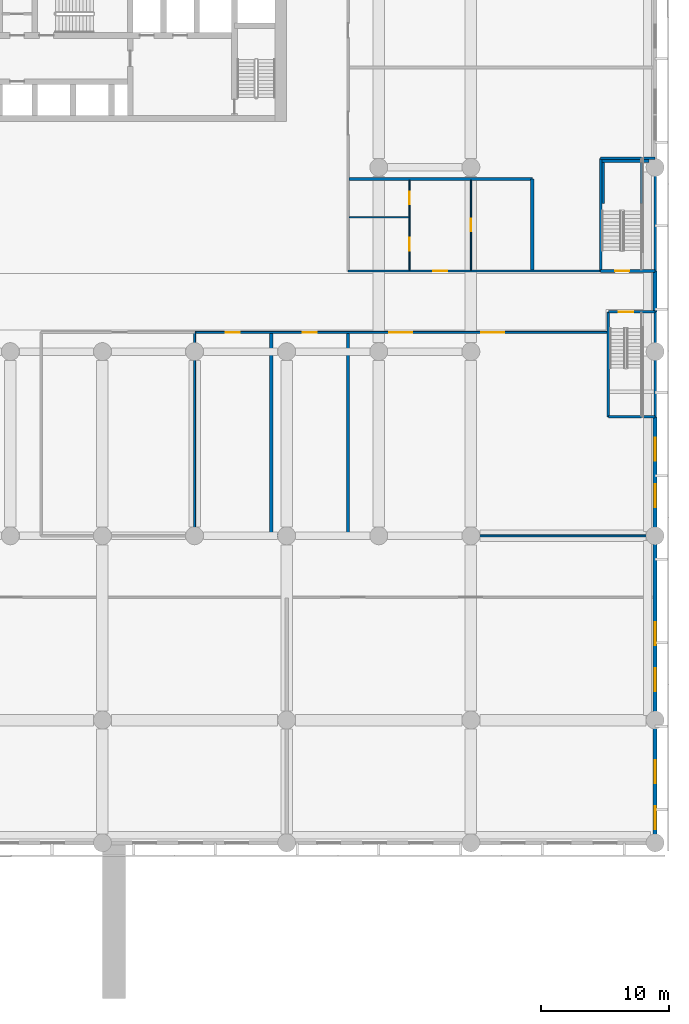
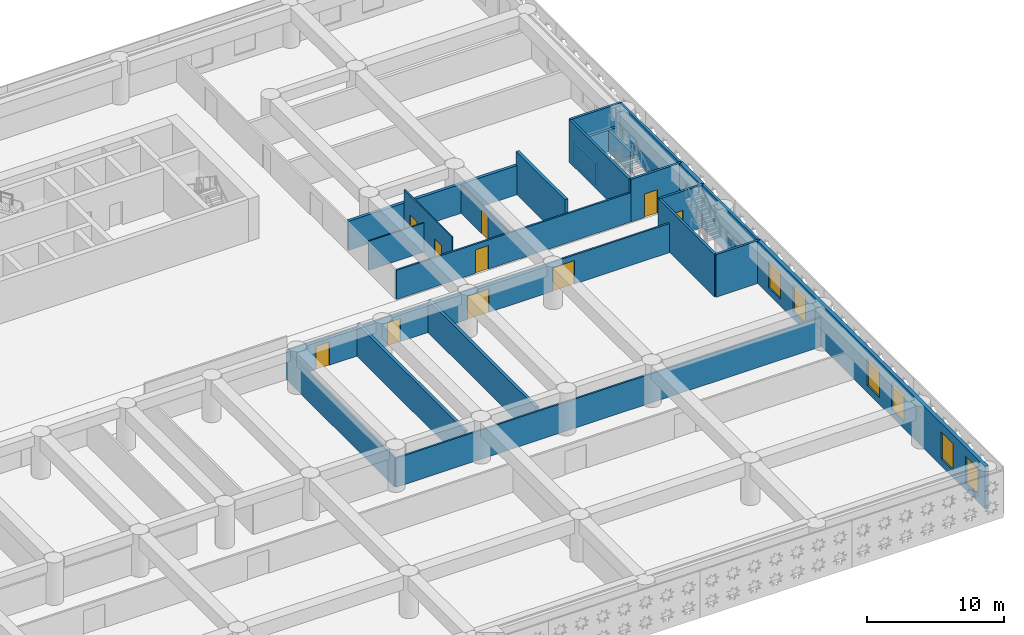
# One storey, part 5 of 23: 24 walls, 10 doors, 6 windows, 16 openings.
"""IFC4 building model written with IfcOpenShell, lengths in metres."""

import ifcopenshell
import ifcopenshell.guid

model = None  # the IFC model being written
_history = None  # IfcOwnerHistory: only IFC2X3 demands one
_inside = {}  # id of a spatial element -> (the spatial element, [elements in it])
_under = {}  # id of a project, library or spatial element -> (it, [spatial elements below it])
_declared = {}  # id of a project -> (the project, [libraries it declares])
_typed = {}  # id of a type object -> (the type object, [elements of that type])
_made_of = {}  # id of a material, layer set ... -> (it, [elements and type objects made of it])


def new_model(schema):
    """Start an empty IFC model of exactly this schema.

    Asked for "IFC4X3", IfcOpenShell would pick the latest addendum, in which some entities
    have other attributes; the version numbers below select the first issue.
    IFC2X3 requires an IfcOwnerHistory on every rooted entity: one is made here for all.
    """
    global model, _history
    if schema == "IFC4X3":
        model = ifcopenshell.file(schema_version=(4, 3, 0, 0))
    else:
        model = ifcopenshell.file(schema=schema)
    _inside.clear()
    _under.clear()
    _declared.clear()
    _typed.clear()
    _made_of.clear()
    _history = None
    if model.schema == "IFC2X3":
        org = make("IfcOrganization", Name="unknown")
        user = make(
            "IfcPersonAndOrganization",
            ThePerson=make("IfcPerson", FamilyName="unknown"),
            TheOrganization=org,
        )
        app = make(
            "IfcApplication",
            ApplicationDeveloper=org,
            Version="unknown",
            ApplicationFullName="unknown",
            ApplicationIdentifier="unknown",
        )
        _history = make(
            "IfcOwnerHistory",
            OwningUser=user,
            OwningApplication=app,
            ChangeAction="ADDED",
            CreationDate=0,
        )
    return model


def make(cls, **values):
    """One entity of the class cls with the attributes given. An attribute that is None is left unset."""
    return model.create_entity(
        cls, **{name: value for name, value in values.items() if value is not None}
    )


def rooted(cls, **values):
    """An entity with a GlobalId (a new one), such as an element, a storey or a relation."""
    return make(cls, GlobalId=ifcopenshell.guid.new(), OwnerHistory=_history, **values)


def si_unit(unit_type, name, prefix=None):
    """IfcSIUnit, for example si_unit("LENGTHUNIT", "METRE", prefix="MILLI")."""
    return make("IfcSIUnit", UnitType=unit_type, Prefix=prefix, Name=name)


def assignment(units):
    """IfcUnitAssignment: the units of a project."""
    return None if units is None else make("IfcUnitAssignment", Units=units)


def point(xyz):
    """IfcCartesianPoint."""
    return None if xyz is None else make("IfcCartesianPoint", Coordinates=xyz)


def direction(xyz):
    """IfcDirection."""
    return None if xyz is None else make("IfcDirection", DirectionRatios=xyz)


def frame(location, z_axis=None, x_axis=None):
    """IfcAxis2Placement3D, a coordinate frame: its origin and axes. An axis left out is left unset."""
    return make(
        "IfcAxis2Placement3D",
        Location=point(location),
        Axis=direction(z_axis),
        RefDirection=direction(x_axis),
    )


def frame_2d(location, x_axis=None):
    """IfcAxis2Placement2D, a coordinate frame in the plane: its origin and x axis."""
    return make(
        "IfcAxis2Placement2D", Location=point(location), RefDirection=direction(x_axis)
    )


def origin():
    """The frame at (0, 0, 0) with its axes left unset."""
    return frame((0.0, 0.0, 0.0))


def place(relative_to, where):
    """IfcLocalPlacement: puts the frame where relative to a parent placement (None: the world)."""
    return make(
        "IfcLocalPlacement", PlacementRelTo=relative_to, RelativePlacement=where
    )


def context(
    kind, dimensions, precision=None, world=None, true_north=None, identifier=None
):
    """IfcGeometricRepresentationContext, for example the 3D "Model" context."""
    return make(
        "IfcGeometricRepresentationContext",
        ContextIdentifier=identifier,
        ContextType=kind,
        CoordinateSpaceDimension=dimensions,
        Precision=precision,
        WorldCoordinateSystem=world,
        TrueNorth=true_north,
    )


def subcontext(parent, identifier, kind, view, scale=None):
    """IfcGeometricRepresentationSubContext, for example "Body" below "Model"."""
    return make(
        "IfcGeometricRepresentationSubContext",
        ContextIdentifier=identifier,
        ContextType=kind,
        ParentContext=parent,
        TargetScale=scale,
        TargetView=view,
    )


def project(units=None, contexts=None):
    """IfcProject with its units and contexts."""
    return rooted(
        "IfcProject",
        Name="project",
        RepresentationContexts=contexts,
        UnitsInContext=assignment(units),
    )


def spatial(cls, under=None, at=None, **own):
    """A site, building, storey or space (cls), placed at a placement, below another one or the project."""
    s = rooted(cls, ObjectPlacement=at, **own)
    if under is not None:
        _under.setdefault(under.id(), (under, []))[1].append(s)
    return s


def profile(cls, at=None, kind="AREA", **sizes):
    """A parametric profile (cls). Its sizes go by their IFC names, for example OverallWidth=200.0."""
    return make(cls, ProfileType=kind, Position=at, **sizes)


def rectangle(**sizes):
    """IfcRectangleProfileDef."""
    return profile("IfcRectangleProfileDef", **sizes)


def extrude(swept, where, along, depth):
    """IfcExtrudedAreaSolid: the profile swept, set in the frame where, extruded along a direction by depth."""
    return make(
        "IfcExtrudedAreaSolid",
        SweptArea=swept,
        Position=where,
        ExtrudedDirection=direction(along),
        Depth=depth,
    )


def shape(context_of_items, identifier, shape_type, items):
    """IfcShapeRepresentation: the items that make up one representation, for example the "Body"."""
    return make(
        "IfcShapeRepresentation",
        ContextOfItems=context_of_items,
        RepresentationIdentifier=identifier,
        RepresentationType=shape_type,
        Items=items,
    )


def material(Name=None, Category=None):
    """IfcMaterial."""
    return make("IfcMaterial", Name=Name, Category=Category)


def layer(
    of_material, thickness, ventilated=None, Name=None, Category=None, Priority=None
):
    """IfcMaterialLayer: one layer of a wall or slab, of a material (None: an air gap)."""
    return make(
        "IfcMaterialLayer",
        Material=of_material,
        LayerThickness=thickness,
        IsVentilated=ventilated,
        Name=Name,
        Category=Category,
        Priority=Priority,
    )


def layer_set(layers, Name=None):
    """IfcMaterialLayerSet."""
    return make("IfcMaterialLayerSet", MaterialLayers=layers, LayerSetName=Name)


def made_of(thing, what):
    """Note that an element or type object is made of a material, layer set ...; save() writes the relation."""
    if what is not None:
        _made_of.setdefault(what.id(), (what, []))[1].append(thing)
    return thing


def type_object(cls, material=None, **own):
    """A type object (cls), such as IfcWallType, which elements share."""
    return made_of(rooted(cls, **own), material)


def element(
    cls,
    number,
    at=None,
    inside=None,
    cuts=None,
    type_object=None,
    material=None,
    context=None,
    identifier="Body",
    shape_type=None,
    held_by="IfcProductDefinitionShape",
    body=None,
    shapes=None,
    **own,
):
    """One element of the class cls, such as IfcWall. Its Tag is "e" and its number.

    at: its placement. inside: the storey or other place that contains it. cuts: it is an
    opening in that element (IfcRelVoidsElement). A single representation is given by context,
    identifier, shape_type and body (its items); several are given by shapes. held_by: the class
    of the entity that holds the representations. save() writes the other relations.
    """
    e = rooted(cls, Tag="e%d" % number, ObjectPlacement=at, **own)
    if body is not None:
        shapes = [shape(context, identifier, shape_type, body)]
    if shapes is not None:
        e.Representation = make(held_by, Representations=shapes)
    if inside is not None:
        _inside.setdefault(inside.id(), (inside, []))[1].append(e)
    if cuts is not None:
        rooted(
            "IfcRelVoidsElement", RelatingBuildingElement=cuts, RelatedOpeningElement=e
        )
    if type_object is not None:
        _typed.setdefault(type_object.id(), (type_object, []))[1].append(e)
    return made_of(e, material)


def fill(opening, filler):
    """IfcRelFillsElement: the door or window that sits in an opening."""
    return rooted(
        "IfcRelFillsElement",
        RelatingOpeningElement=opening,
        RelatedBuildingElement=filler,
    )


def aggregate(whole, parts):
    """IfcRelAggregates: a whole, such as a stair, and the parts it consists of."""
    return rooted("IfcRelAggregates", RelatingObject=whole, RelatedObjects=parts)


def save(model, path):
    """Write the relations noted so far, then the file.

    IfcRelAggregates (storeys below a building ...), IfcRelContainedInSpatialStructure (elements
    in a storey), IfcRelDefinesByType, IfcRelAssociatesMaterial and IfcRelDeclares: one each for
    every whole, place, type object, material and project.
    """
    for whole, parts in _under.values():
        aggregate(whole, parts)
    for where, things in _inside.values():
        rooted(
            "IfcRelContainedInSpatialStructure",
            RelatedElements=things,
            RelatingStructure=where,
        )
    for kind, things in _typed.values():
        rooted("IfcRelDefinesByType", RelatedObjects=things, RelatingType=kind)
    for what, things in _made_of.values():
        rooted("IfcRelAssociatesMaterial", RelatedObjects=things, RelatingMaterial=what)
    for by, libraries in _declared.values():
        rooted("IfcRelDeclares", RelatingContext=by, RelatedDefinitions=libraries)
    model.write(path)


model = new_model("IFC4")

# Units and contexts
model_context = context("Model", 3, precision=1e-05, world=origin(), true_north=direction((0.0, 1.0)))
body_context = subcontext(model_context, "Body", "Model", "MODEL_VIEW")
ifc_project = project(units=[si_unit("LENGTHUNIT", "METRE"), si_unit("AREAUNIT", "SQUARE_METRE"), si_unit("VOLUMEUNIT", "CUBIC_METRE"), si_unit("PLANEANGLEUNIT", "RADIAN"), si_unit("MASSUNIT", "GRAM", prefix="KILO")], contexts=[model_context])

# Site, building, storey
site_placement = place(None, origin())
site = spatial("IfcSite", under=ifc_project, at=site_placement, CompositionType="ELEMENT")
building_placement = place(site_placement, origin())
building = spatial("IfcBuilding", under=site, at=building_placement, Name="Saffron Iwan Residences", CompositionType="ELEMENT")
storey_placement = place(building_placement, frame((0.0, 0.0, 17.39990234375)))
storey = spatial("IfcBuildingStorey", under=building, at=storey_placement, Name="L03", CompositionType="ELEMENT", Elevation=17.39990234375)

# Wall
ifc_material_1 = material(Name="Concrete blockwork", Category="masonry")
ifc_layer_1 = layer(ifc_material_1, 0.14990234375)
ifc_layer_set_1 = layer_set([ifc_layer_1], Name="Concrete blockwork")
wall_type_1 = type_object("IfcWallType", Name="Blockwork partition 150", PredefinedType="PARTITIONING", material=ifc_layer_set_1)
wall_1_placement = place(storey_placement, frame((64.800048828125, 33.60009765625, 0.0), z_axis=(0.0, 0.0, 1.0), x_axis=(1.0, 0.0, 0.0)))
element("IfcWall", 1, at=wall_1_placement, inside=storey, type_object=wall_type_1, Name="W-L03-004", PredefinedType="PARTITIONING", context=body_context, shape_type="SweptSolid", body=[
    extrude(rectangle(XDim=35.849853515625, YDim=0.14990234375, at=frame_2d((17.9248046875, 0.0))), origin(), (0.0, 0.0, 1.0), 2.60009765625),
])

# Wall, openings, doors
wall_2_placement = place(storey_placement, frame((64.800048828125, 49.5, 0.0), z_axis=(0.0, 0.0, 1.0), x_axis=(1.0, 0.0, 0.0)))
wall_2 = element("IfcWall", 2, at=wall_2_placement, inside=storey, type_object=wall_type_1, Name="W-L03-009", PredefinedType="PARTITIONING", context=body_context, shape_type="SweptSolid", body=[
    extrude(rectangle(XDim=32.25, YDim=0.14990234375, at=frame_2d((16.125, 0.0))), origin(), (0.0, 0.0, 1.0), 2.60009765625),
])
opening_1_placement = place(wall_2_placement, frame((2.449951171875, 0.0, 0.0)))
opening_1 = element("IfcOpeningElement", 3, at=opening_1_placement, cuts=wall_2, Name="Opening L03.13", PredefinedType="OPENING", context=body_context, shape_type="SweptSolid", body=[
    extrude(rectangle(XDim=1.10009765625, YDim=2.10009765625, at=frame_2d((0.550048828125, 1.050048828125))), frame((0.0, 0.0849609375, 0.0), z_axis=(0.0, -1.0, 0.0), x_axis=(1.0, 0.0, 0.0)), (0.0, 0.0, 1.0), 0.169921875),
])
opening_2_placement = place(wall_2_placement, frame((8.449951171875, 0.0, 0.0)))
opening_2 = element("IfcOpeningElement", 4, at=opening_2_placement, cuts=wall_2, Name="Opening L03.14", PredefinedType="OPENING", context=body_context, shape_type="SweptSolid", body=[
    extrude(rectangle(XDim=1.10009765625, YDim=2.10009765625, at=frame_2d((0.550048828125, 1.050048828125))), frame((0.0, 0.0849609375, 0.0), z_axis=(0.0, -1.0, 0.0), x_axis=(1.0, 0.0, 0.0)), (0.0, 0.0, 1.0), 0.169921875),
])
opening_3_placement = place(wall_2_placement, frame((22.425048828125, 0.0, 0.0)))
opening_3 = element("IfcOpeningElement", 5, at=opening_3_placement, cuts=wall_2, Name="Opening L03.15", PredefinedType="OPENING", context=body_context, shape_type="SweptSolid", body=[
    extrude(rectangle(XDim=1.800048828125, YDim=2.10009765625, at=frame_2d((0.89990234375, 1.050048828125))), frame((0.0, 0.0849609375, 0.0), z_axis=(0.0, -1.0, 0.0), x_axis=(1.0, 0.0, 0.0)), (0.0, 0.0, 1.0), 0.169921875),
])
opening_4_placement = place(wall_2_placement, frame((15.212890625, 0.0, 0.0)))
opening_4 = element("IfcOpeningElement", 6, at=opening_4_placement, cuts=wall_2, Name="Opening L03.16", PredefinedType="OPENING", context=body_context, shape_type="SweptSolid", body=[
    extrude(rectangle(XDim=1.800048828125, YDim=2.10009765625, at=frame_2d((0.89990234375, 1.050048828125))), frame((0.0, 0.0849609375, 0.0), z_axis=(0.0, -1.0, 0.0), x_axis=(1.0, 0.0, 0.0)), (0.0, 0.0, 1.0), 0.169921875),
])
ifc_material_2 = material(Name="Timber", Category="wood")
door_type_1 = type_object("IfcDoorType", Name="Door 1100x2100", OperationType="NOTDEFINED", PredefinedType="DOOR", material=ifc_material_2)
door_1_placement = place(opening_1_placement, origin())
door_1 = element("IfcDoor", 7, at=door_1_placement, inside=storey, type_object=door_type_1, Name="D-L03-013", OperationType="SINGLE_SWING_LEFT", OverallHeight=2.10009765625, OverallWidth=1.10009765625, PredefinedType="DOOR", context=body_context, shape_type="SweptSolid", body=[
    extrude(rectangle(XDim=1.10009765625, YDim=2.10009765625, at=frame_2d((0.550048828125, 1.050048828125))), frame((0.0, 0.02490234375, 0.0), z_axis=(0.0, -1.0, 0.0), x_axis=(1.0, 0.0, 0.0)), (0.0, 0.0, 1.0), 0.050048828125),
])
fill(opening_1, door_1)
door_2_placement = place(opening_2_placement, origin())
door_2 = element("IfcDoor", 8, at=door_2_placement, inside=storey, type_object=door_type_1, Name="D-L03-014", OperationType="SINGLE_SWING_LEFT", OverallHeight=2.10009765625, OverallWidth=1.10009765625, PredefinedType="DOOR", context=body_context, shape_type="SweptSolid", body=[
    extrude(rectangle(XDim=1.10009765625, YDim=2.10009765625, at=frame_2d((0.550048828125, 1.050048828125))), frame((0.0, 0.02490234375, 0.0), z_axis=(0.0, -1.0, 0.0), x_axis=(1.0, 0.0, 0.0)), (0.0, 0.0, 1.0), 0.050048828125),
])
fill(opening_2, door_2)
door_type_2 = type_object("IfcDoorType", Name="Door 1800x2100", OperationType="DOUBLE_DOOR_SINGLE_SWING", PredefinedType="DOOR", material=ifc_material_2)
door_3_placement = place(opening_3_placement, origin())
door_3 = element("IfcDoor", 9, at=door_3_placement, inside=storey, type_object=door_type_2, Name="D-L03-015", OperationType="DOUBLE_DOOR_SINGLE_SWING", OverallHeight=2.10009765625, OverallWidth=1.800048828125, PredefinedType="DOOR", context=body_context, shape_type="SweptSolid", body=[
    extrude(rectangle(XDim=1.800048828125, YDim=2.10009765625, at=frame_2d((0.89990234375, 1.050048828125))), frame((0.0, 0.02490234375, 0.0), z_axis=(0.0, -1.0, 0.0), x_axis=(1.0, 0.0, 0.0)), (0.0, 0.0, 1.0), 0.050048828125),
])
fill(opening_3, door_3)
door_4_placement = place(opening_4_placement, origin())
door_4 = element("IfcDoor", 10, at=door_4_placement, inside=storey, type_object=door_type_2, Name="D-L03-016", OperationType="DOUBLE_DOOR_SINGLE_SWING", OverallHeight=2.10009765625, OverallWidth=1.800048828125, PredefinedType="DOOR", context=body_context, shape_type="SweptSolid", body=[
    extrude(rectangle(XDim=1.800048828125, YDim=2.10009765625, at=frame_2d((0.89990234375, 1.050048828125))), frame((0.0, 0.02490234375, 0.0), z_axis=(0.0, -1.0, 0.0), x_axis=(1.0, 0.0, 0.0)), (0.0, 0.0, 1.0), 0.050048828125),
])
fill(opening_4, door_4)

# Wall, opening, door
wall_3_placement = place(storey_placement, frame((76.800048828125, 54.300048828125, 0.0), z_axis=(0.0, 0.0, 1.0), x_axis=(1.0, 0.0, 0.0)))
wall_3 = element("IfcWall", 11, at=wall_3_placement, inside=storey, type_object=wall_type_1, Name="W-L03-014", PredefinedType="PARTITIONING", context=body_context, shape_type="SweptSolid", body=[
    extrude(rectangle(XDim=19.75, YDim=0.14990234375, at=frame_2d((9.875, 0.0))), origin(), (0.0, 0.0, 1.0), 2.60009765625),
])
opening_5_placement = place(wall_3_placement, frame((6.64990234375, 0.0, 0.0)))
opening_5 = element("IfcOpeningElement", 12, at=opening_5_placement, cuts=wall_3, Name="Opening L03.25", PredefinedType="OPENING", context=body_context, shape_type="SweptSolid", body=[
    extrude(rectangle(XDim=1.10009765625, YDim=2.10009765625, at=frame_2d((0.550048828125, 1.050048828125))), frame((0.0, 0.0849609375, 0.0), z_axis=(0.0, -1.0, 0.0), x_axis=(1.0, 0.0, 0.0)), (0.0, 0.0, 1.0), 0.169921875),
])
door_5_placement = place(opening_5_placement, origin())
door_5 = element("IfcDoor", 13, at=door_5_placement, inside=storey, type_object=door_type_1, Name="D-L03-025", OperationType="SINGLE_SWING_LEFT", OverallHeight=2.10009765625, OverallWidth=1.10009765625, PredefinedType="DOOR", context=body_context, shape_type="SweptSolid", body=[
    extrude(rectangle(XDim=1.10009765625, YDim=2.10009765625, at=frame_2d((0.550048828125, 1.050048828125))), frame((0.0, 0.02490234375, 0.0), z_axis=(0.0, -1.0, 0.0), x_axis=(1.0, 0.0, 0.0)), (0.0, 0.0, 1.0), 0.050048828125),
])
fill(opening_5, door_5)

# Walls
wall_4_placement = place(storey_placement, frame((64.800048828125, 33.60009765625, 0.0), z_axis=(0.0, 0.0, 1.0), x_axis=(0.0, 1.0, 0.0)))
element("IfcWall", 14, at=wall_4_placement, inside=storey, type_object=wall_type_1, Name="W-L03-038", PredefinedType="PARTITIONING", context=body_context, shape_type="SweptSolid", body=[
    extrude(rectangle(XDim=15.89990234375, YDim=0.14990234375, at=frame_2d((7.949951171875, 0.0))), origin(), (0.0, 0.0, 1.0), 2.60009765625),
])
ifc_material_3 = material(Name="Concrete C40/50", Category="concrete")
ifc_layer_2 = layer(ifc_material_3, 0.25)
ifc_layer_set_2 = layer_set([ifc_layer_2], Name="Concrete C40/50")
wall_type_2 = type_object("IfcWallType", Name="Fire compartment wall 250", PredefinedType="SOLIDWALL", material=ifc_layer_set_2)
wall_5_placement = place(storey_placement, frame((76.875, 61.5, 0.0), z_axis=(0.0, 0.0, 1.0), x_axis=(1.0, 0.0, 0.0)))
element("IfcWall", 15, at=wall_5_placement, inside=storey, type_object=wall_type_2, Name="W-L03-018", PredefinedType="SOLIDWALL", context=body_context, shape_type="SweptSolid", body=[
    extrude(rectangle(XDim=14.324951171875, YDim=0.25, at=frame_2d((7.16259765625, 0.0))), origin(), (0.0, 0.0, 1.0), 2.60009765625),
])
for number, where, z_axis, x_axis, name in (
    (16, (70.800048828125, 33.675048828125, 0.0), (0.0, 0.0, 1.0), (0.0, 1.0, 0.0), "W-L03-039"),
    (17, (76.800048828125, 33.675048828125, 0.0), (0.0, 0.0, 1.0), (0.0, 1.0, 0.0), "W-L03-042"),
):
    element("IfcWall", number, at=place(storey_placement, frame(where, z_axis=z_axis, x_axis=x_axis)), inside=storey, type_object=wall_type_2, Name=name, PredefinedType="SOLIDWALL", context=body_context, shape_type="SweptSolid", body=[
        extrude(rectangle(XDim=15.75, YDim=0.25, at=frame_2d((7.875, 0.0))), origin(), (0.0, 0.0, 1.0), 2.900146484375),
    ])
wall_6_placement = place(storey_placement, frame((91.199951171875, 54.375, 0.0), z_axis=(0.0, 0.0, 1.0), x_axis=(0.0, 1.0, 0.0)))
element("IfcWall", 18, at=wall_6_placement, inside=storey, type_object=wall_type_2, Name="W-L03-045", PredefinedType="SOLIDWALL", context=body_context, shape_type="SweptSolid", body=[
    extrude(rectangle(XDim=7.125, YDim=0.25, at=frame_2d((3.5625, 0.0))), origin(), (0.0, 0.0, 1.0), 3.800048828125),
])
ifc_layer_3 = layer(ifc_material_3, 0.199951171875)
ifc_layer_set_3 = layer_set([ifc_layer_3], Name="Concrete C40/50")
wall_type_3 = type_object("IfcWallType", Name="Landing support wall, reinforced concrete 200", PredefinedType="SOLIDWALL", material=ifc_layer_set_3)
for number, where, z_axis, x_axis, name in (
    (19, (96.75, 59.580078125, 0.0), (0.0, 0.0, 1.0), (0.0, 1.0, 0.0), "PS4 landing support wall"),
    (20, (99.699951171875, 59.580078125, 0.0), (0.0, 0.0, 1.0), (0.0, 1.0, 0.0), "PS4 landing support wall"),
):
    element("IfcWall", number, at=place(storey_placement, frame(where, z_axis=z_axis, x_axis=x_axis)), inside=storey, type_object=wall_type_3, Name=name, PredefinedType="SOLIDWALL", context=body_context, shape_type="SweptSolid", body=[
        extrude(rectangle(XDim=3.219970703125, YDim=0.199951171875, at=frame_2d((1.60986328125, 0.0))), origin(), (0.0, 0.0, 1.0), 1.900146484375),
    ])
wall_7_placement = place(storey_placement, frame((96.64990234375, 62.89990234375, 0.0), z_axis=(0.0, 0.0, 1.0), x_axis=(1.0, 0.0, 0.0)))
element("IfcWall", 21, at=wall_7_placement, inside=storey, type_object=wall_type_3, Name="PS4 landing support wall", PredefinedType="SOLIDWALL", context=body_context, shape_type="SweptSolid", body=[
    extrude(rectangle(XDim=3.66015625, YDim=0.199951171875, at=frame_2d((1.830078125, 0.0))), origin(), (0.0, 0.0, 1.0), 1.900146484375),
])
ifc_material_4 = material(Name="Plasterboard")
ifc_layer_4 = layer(ifc_material_4, 0.10009765625)
ifc_layer_set_4 = layer_set([ifc_layer_4], Name="Plasterboard")
wall_type_4 = type_object("IfcWallType", Name="Plasterboard partition 100", PredefinedType="PARTITIONING", material=ifc_layer_set_4)
wall_8_placement = place(storey_placement, frame((76.875, 58.5, 0.0), z_axis=(0.0, 0.0, 1.0), x_axis=(1.0, 0.0, 0.0)))
element("IfcWall", 22, at=wall_8_placement, inside=storey, type_object=wall_type_4, Name="W-L03-017", PredefinedType="PARTITIONING", context=body_context, shape_type="SweptSolid", body=[
    extrude(rectangle(XDim=4.675048828125, YDim=0.10009765625, at=frame_2d((2.33740234375, 0.0))), origin(), (0.0, 0.0, 1.0), 2.60009765625),
])

# Wall, openings, doors
wall_9_placement = place(storey_placement, frame((81.60009765625, 54.375, 0.0), z_axis=(0.0, 0.0, 1.0), x_axis=(0.0, 1.0, 0.0)))
wall_9 = element("IfcWall", 23, at=wall_9_placement, inside=storey, type_object=wall_type_4, Name="W-L03-043", PredefinedType="PARTITIONING", context=body_context, shape_type="SweptSolid", body=[
    extrude(rectangle(XDim=7.0, YDim=0.10009765625, at=frame_2d((3.5, 0.0))), origin(), (0.0, 0.0, 1.0), 3.800048828125),
])
opening_6_placement = place(wall_9_placement, frame((1.52490234375, 0.0, 0.0)))
opening_6 = element("IfcOpeningElement", 24, at=opening_6_placement, cuts=wall_9, Name="Opening L03.22", PredefinedType="OPENING", context=body_context, shape_type="SweptSolid", body=[
    extrude(rectangle(XDim=1.0, YDim=2.10009765625, at=frame_2d((0.5, 1.050048828125))), frame((0.0, 0.06005859375, 0.0), z_axis=(0.0, -1.0, 0.0), x_axis=(1.0, 0.0, 0.0)), (0.0, 0.0, 1.0), 0.1201171875),
])
opening_7_placement = place(wall_9_placement, frame((5.125, 0.0, 0.0)))
opening_7 = element("IfcOpeningElement", 25, at=opening_7_placement, cuts=wall_9, Name="Opening L03.23", PredefinedType="OPENING", context=body_context, shape_type="SweptSolid", body=[
    extrude(rectangle(XDim=1.0, YDim=2.10009765625, at=frame_2d((0.5, 1.050048828125))), frame((0.0, 0.06005859375, 0.0), z_axis=(0.0, -1.0, 0.0), x_axis=(1.0, 0.0, 0.0)), (0.0, 0.0, 1.0), 0.1201171875),
])
door_type_3 = type_object("IfcDoorType", Name="Door 1000x2100", OperationType="NOTDEFINED", PredefinedType="DOOR", material=ifc_material_2)
door_6_placement = place(opening_6_placement, origin())
door_6 = element("IfcDoor", 26, at=door_6_placement, inside=storey, type_object=door_type_3, Name="D-L03-022", OperationType="SINGLE_SWING_LEFT", OverallHeight=2.10009765625, OverallWidth=1.0, PredefinedType="DOOR", context=body_context, shape_type="SweptSolid", body=[
    extrude(rectangle(XDim=1.0, YDim=2.10009765625, at=frame_2d((0.5, 1.050048828125))), frame((0.0, 0.02490234375, 0.0), z_axis=(0.0, -1.0, 0.0), x_axis=(1.0, 0.0, 0.0)), (0.0, 0.0, 1.0), 0.050048828125),
])
fill(opening_6, door_6)
door_7_placement = place(opening_7_placement, origin())
door_7 = element("IfcDoor", 27, at=door_7_placement, inside=storey, type_object=door_type_3, Name="D-L03-023", OperationType="SINGLE_SWING_RIGHT", OverallHeight=2.10009765625, OverallWidth=1.0, PredefinedType="DOOR", context=body_context, shape_type="SweptSolid", body=[
    extrude(rectangle(XDim=1.0, YDim=2.10009765625, at=frame_2d((0.5, 1.050048828125))), frame((0.0, 0.02490234375, 0.0), z_axis=(0.0, -1.0, 0.0), x_axis=(1.0, 0.0, 0.0)), (0.0, 0.0, 1.0), 0.050048828125),
])
fill(opening_7, door_7)

# Wall, opening, door
wall_10_placement = place(storey_placement, frame((86.39990234375, 54.375, 0.0), z_axis=(0.0, 0.0, 1.0), x_axis=(0.0, 1.0, 0.0)))
wall_10 = element("IfcWall", 28, at=wall_10_placement, inside=storey, type_object=wall_type_4, Name="W-L03-044", PredefinedType="PARTITIONING", context=body_context, shape_type="SweptSolid", body=[
    extrude(rectangle(XDim=7.0, YDim=0.10009765625, at=frame_2d((3.5, 0.0))), origin(), (0.0, 0.0, 1.0), 2.60009765625),
])
opening_8_placement = place(wall_10_placement, frame((3.02490234375, 0.0, 0.0)))
opening_8 = element("IfcOpeningElement", 29, at=opening_8_placement, cuts=wall_10, Name="Opening L03.24", PredefinedType="OPENING", context=body_context, shape_type="SweptSolid", body=[
    extrude(rectangle(XDim=1.0, YDim=2.10009765625, at=frame_2d((0.5, 1.050048828125))), frame((0.0, 0.06005859375, 0.0), z_axis=(0.0, -1.0, 0.0), x_axis=(1.0, 0.0, 0.0)), (0.0, 0.0, 1.0), 0.1201171875),
])
door_8_placement = place(opening_8_placement, origin())
door_8 = element("IfcDoor", 30, at=door_8_placement, inside=storey, type_object=door_type_3, Name="D-L03-024", OperationType="SINGLE_SWING_RIGHT", OverallHeight=2.10009765625, OverallWidth=1.0, PredefinedType="DOOR", context=body_context, shape_type="SweptSolid", body=[
    extrude(rectangle(XDim=1.0, YDim=2.10009765625, at=frame_2d((0.5, 1.050048828125))), frame((0.0, 0.02490234375, 0.0), z_axis=(0.0, -1.0, 0.0), x_axis=(1.0, 0.0, 0.0)), (0.0, 0.0, 1.0), 0.050048828125),
])
fill(opening_8, door_8)

# Wall, openings, windows
ifc_material_5 = material(Name="Precast concrete C40/50", Category="concrete")
ifc_layer_5 = layer(ifc_material_5, 0.300048828125)
ifc_layer_set_5 = layer_set([ifc_layer_5], Name="Precast concrete C40/50")
wall_type_5 = type_object("IfcWallType", Name="Podium external wall 300", PredefinedType="SOLIDWALL", material=ifc_layer_set_5)
wall_11_placement = place(storey_placement, frame((100.800048828125, 9.60009765625, 0.0), z_axis=(0.0, 0.0, 1.0), x_axis=(0.0, 1.0, 0.0)))
wall_11 = element("IfcWall", 31, at=wall_11_placement, inside=storey, type_object=wall_type_5, Name="W-L03-048", PredefinedType="SOLIDWALL", context=body_context, shape_type="SweptSolid", body=[
    extrude(rectangle(XDim=33.2998046875, YDim=0.300048828125, at=frame_2d((16.64990234375, 0.0))), origin(), (0.0, 0.0, 1.0), 3.800048828125),
])
opening_9_placement = place(wall_11_placement, frame((1.050048828125, 0.0, 0.60009765625)))
opening_9 = element("IfcOpeningElement", 32, at=opening_9_placement, cuts=wall_11, Name="Opening W7", PredefinedType="OPENING", context=body_context, shape_type="SweptSolid", body=[
    extrude(rectangle(XDim=1.800048828125, YDim=2.39990234375, at=frame_2d((0.89990234375, 1.199951171875))), frame((0.0, 0.16015625, 0.0), z_axis=(0.0, -1.0, 0.0), x_axis=(1.0, 0.0, 0.0)), (0.0, 0.0, 1.0), 0.320068359375),
])
opening_10_placement = place(wall_11_placement, frame((4.64990234375, 0.0, 0.60009765625)))
opening_10 = element("IfcOpeningElement", 33, at=opening_10_placement, cuts=wall_11, Name="Opening W7", PredefinedType="OPENING", context=body_context, shape_type="SweptSolid", body=[
    extrude(rectangle(XDim=1.800048828125, YDim=2.39990234375, at=frame_2d((0.89990234375, 1.199951171875))), frame((0.0, 0.16015625, 0.0), z_axis=(0.0, -1.0, 0.0), x_axis=(1.0, 0.0, 0.0)), (0.0, 0.0, 1.0), 0.320068359375),
])
opening_11_placement = place(wall_11_placement, frame((11.85009765625, 0.0, 0.60009765625)))
opening_11 = element("IfcOpeningElement", 34, at=opening_11_placement, cuts=wall_11, Name="Opening W7", PredefinedType="OPENING", context=body_context, shape_type="SweptSolid", body=[
    extrude(rectangle(XDim=1.800048828125, YDim=2.39990234375, at=frame_2d((0.89990234375, 1.199951171875))), frame((0.0, 0.16015625, 0.0), z_axis=(0.0, -1.0, 0.0), x_axis=(1.0, 0.0, 0.0)), (0.0, 0.0, 1.0), 0.320068359375),
])
opening_12_placement = place(wall_11_placement, frame((15.449951171875, 0.0, 0.60009765625)))
opening_12 = element("IfcOpeningElement", 35, at=opening_12_placement, cuts=wall_11, Name="Opening W7", PredefinedType="OPENING", context=body_context, shape_type="SweptSolid", body=[
    extrude(rectangle(XDim=1.800048828125, YDim=2.39990234375, at=frame_2d((0.89990234375, 1.199951171875))), frame((0.0, 0.16015625, 0.0), z_axis=(0.0, -1.0, 0.0), x_axis=(1.0, 0.0, 0.0)), (0.0, 0.0, 1.0), 0.320068359375),
])
opening_13_placement = place(wall_11_placement, frame((26.25, 0.0, 0.60009765625)))
opening_13 = element("IfcOpeningElement", 36, at=opening_13_placement, cuts=wall_11, Name="Opening W7", PredefinedType="OPENING", context=body_context, shape_type="SweptSolid", body=[
    extrude(rectangle(XDim=1.800048828125, YDim=2.39990234375, at=frame_2d((0.89990234375, 1.199951171875))), frame((0.0, 0.16015625, 0.0), z_axis=(0.0, -1.0, 0.0), x_axis=(1.0, 0.0, 0.0)), (0.0, 0.0, 1.0), 0.320068359375),
])
opening_14_placement = place(wall_11_placement, frame((29.85009765625, 0.0, 0.60009765625)))
opening_14 = element("IfcOpeningElement", 37, at=opening_14_placement, cuts=wall_11, Name="Opening W7", PredefinedType="OPENING", context=body_context, shape_type="SweptSolid", body=[
    extrude(rectangle(XDim=1.800048828125, YDim=2.39990234375, at=frame_2d((0.89990234375, 1.199951171875))), frame((0.0, 0.16015625, 0.0), z_axis=(0.0, -1.0, 0.0), x_axis=(1.0, 0.0, 0.0)), (0.0, 0.0, 1.0), 0.320068359375),
])
ifc_material_6 = material(Name="Clear glass, laminated double glazed", Category="glass")
window_type = type_object("IfcWindowType", Name="WINDOW 1800 x 2400 PODIUM", PartitioningType="DOUBLE_PANEL_VERTICAL", PredefinedType="WINDOW", material=ifc_material_6)
window_1_placement = place(opening_9_placement, origin())
window_1 = element("IfcWindow", 38, at=window_1_placement, inside=storey, type_object=window_type, Name="Window L03 W-L03-048.0", OverallHeight=2.39990234375, OverallWidth=1.800048828125, PartitioningType="DOUBLE_PANEL_VERTICAL", PredefinedType="WINDOW", context=body_context, shape_type="SweptSolid", body=[
    extrude(rectangle(XDim=1.800048828125, YDim=2.39990234375, at=frame_2d((0.89990234375, 1.199951171875))), frame((0.0, 0.030029296875, 0.0), z_axis=(0.0, -1.0, 0.0), x_axis=(1.0, 0.0, 0.0)), (0.0, 0.0, 1.0), 0.06005859375),
])
fill(opening_9, window_1)
window_2_placement = place(opening_10_placement, origin())
window_2 = element("IfcWindow", 39, at=window_2_placement, inside=storey, type_object=window_type, Name="Window L03 W-L03-048.1", OverallHeight=2.39990234375, OverallWidth=1.800048828125, PartitioningType="DOUBLE_PANEL_VERTICAL", PredefinedType="WINDOW", context=body_context, shape_type="SweptSolid", body=[
    extrude(rectangle(XDim=1.800048828125, YDim=2.39990234375, at=frame_2d((0.89990234375, 1.199951171875))), frame((0.0, 0.030029296875, 0.0), z_axis=(0.0, -1.0, 0.0), x_axis=(1.0, 0.0, 0.0)), (0.0, 0.0, 1.0), 0.06005859375),
])
fill(opening_10, window_2)
window_3_placement = place(opening_11_placement, origin())
window_3 = element("IfcWindow", 40, at=window_3_placement, inside=storey, type_object=window_type, Name="Window L03 W-L03-048.2", OverallHeight=2.39990234375, OverallWidth=1.800048828125, PartitioningType="DOUBLE_PANEL_VERTICAL", PredefinedType="WINDOW", context=body_context, shape_type="SweptSolid", body=[
    extrude(rectangle(XDim=1.800048828125, YDim=2.39990234375, at=frame_2d((0.89990234375, 1.199951171875))), frame((0.0, 0.030029296875, 0.0), z_axis=(0.0, -1.0, 0.0), x_axis=(1.0, 0.0, 0.0)), (0.0, 0.0, 1.0), 0.06005859375),
])
fill(opening_11, window_3)
window_4_placement = place(opening_12_placement, origin())
window_4 = element("IfcWindow", 41, at=window_4_placement, inside=storey, type_object=window_type, Name="Window L03 W-L03-048.3", OverallHeight=2.39990234375, OverallWidth=1.800048828125, PartitioningType="DOUBLE_PANEL_VERTICAL", PredefinedType="WINDOW", context=body_context, shape_type="SweptSolid", body=[
    extrude(rectangle(XDim=1.800048828125, YDim=2.39990234375, at=frame_2d((0.89990234375, 1.199951171875))), frame((0.0, 0.030029296875, 0.0), z_axis=(0.0, -1.0, 0.0), x_axis=(1.0, 0.0, 0.0)), (0.0, 0.0, 1.0), 0.06005859375),
])
fill(opening_12, window_4)
window_5_placement = place(opening_13_placement, origin())
window_5 = element("IfcWindow", 42, at=window_5_placement, inside=storey, type_object=window_type, Name="Window L03 W-L03-048.4", OverallHeight=2.39990234375, OverallWidth=1.800048828125, PartitioningType="DOUBLE_PANEL_VERTICAL", PredefinedType="WINDOW", context=body_context, shape_type="SweptSolid", body=[
    extrude(rectangle(XDim=1.800048828125, YDim=2.39990234375, at=frame_2d((0.89990234375, 1.199951171875))), frame((0.0, 0.030029296875, 0.0), z_axis=(0.0, -1.0, 0.0), x_axis=(1.0, 0.0, 0.0)), (0.0, 0.0, 1.0), 0.06005859375),
])
fill(opening_13, window_5)
window_6_placement = place(opening_14_placement, origin())
window_6 = element("IfcWindow", 43, at=window_6_placement, inside=storey, type_object=window_type, Name="Window L03 W-L03-048.5", OverallHeight=2.39990234375, OverallWidth=1.800048828125, PartitioningType="DOUBLE_PANEL_VERTICAL", PredefinedType="WINDOW", context=body_context, shape_type="SweptSolid", body=[
    extrude(rectangle(XDim=1.800048828125, YDim=2.39990234375, at=frame_2d((0.89990234375, 1.199951171875))), frame((0.0, 0.030029296875, 0.0), z_axis=(0.0, -1.0, 0.0), x_axis=(1.0, 0.0, 0.0)), (0.0, 0.0, 1.0), 0.06005859375),
])
fill(opening_14, window_6)

# Walls
wall_12_placement = place(storey_placement, frame((100.800048828125, 51.10009765625, 0.0), z_axis=(0.0, 0.0, 1.0), x_axis=(0.0, 1.0, 0.0)))
element("IfcWall", 44, at=wall_12_placement, inside=storey, type_object=wall_type_5, Name="W-L03-049", PredefinedType="SOLIDWALL", context=body_context, shape_type="SweptSolid", body=[
    extrude(rectangle(XDim=3.199951171875, YDim=0.300048828125, at=frame_2d((1.60009765625, 0.0))), origin(), (0.0, 0.0, 1.0), 3.800048828125),
])
ifc_layer_6 = layer(ifc_material_3, 0.199951171875)
ifc_layer_set_6 = layer_set([ifc_layer_6], Name="Concrete C40/50")
wall_type_6 = type_object("IfcWallType", Name="Reinforced concrete stair wall 200", PredefinedType="SOLIDWALL", material=ifc_layer_set_6)
wall_13_placement = place(storey_placement, frame((97.14990234375, 42.89990234375, 0.0), z_axis=(0.0, 0.0, 1.0), x_axis=(1.0, 0.0, 0.0)))
element("IfcWall", 45, at=wall_13_placement, inside=storey, type_object=wall_type_6, Name="W-L03-007", PredefinedType="SOLIDWALL", context=body_context, shape_type="SweptSolid", body=[
    extrude(rectangle(XDim=3.650146484375, YDim=0.199951171875, at=frame_2d((1.8251953125, 0.0))), origin(), (0.0, 0.0, 1.0), 3.800048828125),
])

# Wall, opening, door
wall_14_placement = place(storey_placement, frame((97.14990234375, 51.10009765625, 0.0), z_axis=(0.0, 0.0, 1.0), x_axis=(1.0, 0.0, 0.0)))
wall_14 = element("IfcWall", 46, at=wall_14_placement, inside=storey, type_object=wall_type_6, Name="W-L03-012", PredefinedType="SOLIDWALL", context=body_context, shape_type="SweptSolid", body=[
    extrude(rectangle(XDim=3.650146484375, YDim=0.199951171875, at=frame_2d((1.8251953125, 0.0))), origin(), (0.0, 0.0, 1.0), 3.800048828125),
])
opening_15_placement = place(wall_14_placement, frame((0.824951171875, 0.0, 0.0)))
opening_15 = element("IfcOpeningElement", 47, at=opening_15_placement, cuts=wall_14, Name="Opening L03.27", PredefinedType="OPENING", context=body_context, shape_type="SweptSolid", body=[
    extrude(rectangle(XDim=1.10009765625, YDim=2.10009765625, at=frame_2d((0.550048828125, 1.050048828125))), frame((0.0, 0.10986328125, 0.0), z_axis=(0.0, -1.0, 0.0), x_axis=(1.0, 0.0, 0.0)), (0.0, 0.0, 1.0), 0.219970703125),
])
ifc_material_7 = material(Name="Steel", Category="steel")
door_type_4 = type_object("IfcDoorType", Name="Fire door 1100x2100", OperationType="NOTDEFINED", PredefinedType="DOOR", material=ifc_material_7)
door_9_placement = place(opening_15_placement, origin())
door_9 = element("IfcDoor", 48, at=door_9_placement, inside=storey, type_object=door_type_4, Name="D-L03-027", OperationType="SINGLE_SWING_LEFT", OverallHeight=2.10009765625, OverallWidth=1.10009765625, PredefinedType="DOOR", context=body_context, shape_type="SweptSolid", body=[
    extrude(rectangle(XDim=1.10009765625, YDim=2.10009765625, at=frame_2d((0.550048828125, 1.050048828125))), frame((0.0, 0.02490234375, 0.0), z_axis=(0.0, -1.0, 0.0), x_axis=(1.0, 0.0, 0.0)), (0.0, 0.0, 1.0), 0.050048828125),
])
fill(opening_15, door_9)

wall_15_placement = place(storey_placement, frame((96.550048828125, 54.300048828125, 0.0), z_axis=(0.0, 0.0, 1.0), x_axis=(1.0, 0.0, 0.0)))
wall_15 = element("IfcWall", 49, at=wall_15_placement, inside=storey, type_object=wall_type_6, Name="W-L03-016", PredefinedType="SOLIDWALL", context=body_context, shape_type="SweptSolid", body=[
    extrude(rectangle(XDim=4.25, YDim=0.199951171875, at=frame_2d((2.125, 0.0))), origin(), (0.0, 0.0, 1.0), 3.800048828125),
])
opening_16_placement = place(wall_15_placement, frame((1.125, 0.0, 0.0)))
opening_16 = element("IfcOpeningElement", 50, at=opening_16_placement, cuts=wall_15, Name="Opening L03.29", PredefinedType="OPENING", context=body_context, shape_type="SweptSolid", body=[
    extrude(rectangle(XDim=1.10009765625, YDim=2.10009765625, at=frame_2d((0.550048828125, 1.050048828125))), frame((0.0, 0.10986328125, 0.0), z_axis=(0.0, -1.0, 0.0), x_axis=(1.0, 0.0, 0.0)), (0.0, 0.0, 1.0), 0.219970703125),
])
door_10_placement = place(opening_16_placement, origin())
door_10 = element("IfcDoor", 51, at=door_10_placement, inside=storey, type_object=door_type_4, Name="D-L03-029", OperationType="SINGLE_SWING_LEFT", OverallHeight=2.10009765625, OverallWidth=1.10009765625, PredefinedType="DOOR", context=body_context, shape_type="SweptSolid", body=[
    extrude(rectangle(XDim=1.10009765625, YDim=2.10009765625, at=frame_2d((0.550048828125, 1.050048828125))), frame((0.0, 0.02490234375, 0.0), z_axis=(0.0, -1.0, 0.0), x_axis=(1.0, 0.0, 0.0)), (0.0, 0.0, 1.0), 0.050048828125),
])
fill(opening_16, door_10)

# Walls
wall_16_placement = place(storey_placement, frame((96.550048828125, 63.10009765625, 0.0), z_axis=(0.0, 0.0, 1.0), x_axis=(1.0, 0.0, 0.0)))
element("IfcWall", 52, at=wall_16_placement, inside=storey, type_object=wall_type_6, Name="W-L03-020", PredefinedType="SOLIDWALL", context=body_context, shape_type="SweptSolid", body=[
    extrude(rectangle(XDim=4.25, YDim=0.199951171875, at=frame_2d((2.125, 0.0))), origin(), (0.0, 0.0, 1.0), 3.800048828125),
])
wall_17_placement = place(storey_placement, frame((96.550048828125, 54.300048828125, 0.0), z_axis=(0.0, 0.0, 1.0), x_axis=(0.0, 1.0, 0.0)))
element("IfcWall", 53, at=wall_17_placement, inside=storey, type_object=wall_type_6, Name="W-L03-046", PredefinedType="SOLIDWALL", context=body_context, shape_type="SweptSolid", body=[
    extrude(rectangle(XDim=8.800048828125, YDim=0.199951171875, at=frame_2d((4.39990234375, 0.0))), origin(), (0.0, 0.0, 1.0), 3.800048828125),
])
for number, where, z_axis, x_axis, name in (
    (54, (97.14990234375, 42.89990234375, 0.0), (0.0, 0.0, 1.0), (0.0, 1.0, 0.0), "W-L03-047"),
    (55, (100.800048828125, 42.89990234375, 0.0), (0.0, 0.0, 1.0), (0.0, 1.0, 0.0), "W-L03-051"),
):
    element("IfcWall", number, at=place(storey_placement, frame(where, z_axis=z_axis, x_axis=x_axis)), inside=storey, type_object=wall_type_6, Name=name, PredefinedType="SOLIDWALL", context=body_context, shape_type="SweptSolid", body=[
        extrude(rectangle(XDim=8.2001953125, YDim=0.199951171875, at=frame_2d((4.10009765625, 0.0))), origin(), (0.0, 0.0, 1.0), 3.800048828125),
    ])
wall_18_placement = place(storey_placement, frame((100.800048828125, 54.300048828125, 0.0), z_axis=(0.0, 0.0, 1.0), x_axis=(0.0, 1.0, 0.0)))
element("IfcWall", 56, at=wall_18_placement, inside=storey, type_object=wall_type_6, Name="W-L03-052", PredefinedType="SOLIDWALL", context=body_context, shape_type="SweptSolid", body=[
    extrude(rectangle(XDim=8.800048828125, YDim=0.199951171875, at=frame_2d((4.39990234375, 0.0))), origin(), (0.0, 0.0, 1.0), 3.800048828125),
])

save(model, "model.ifc")
